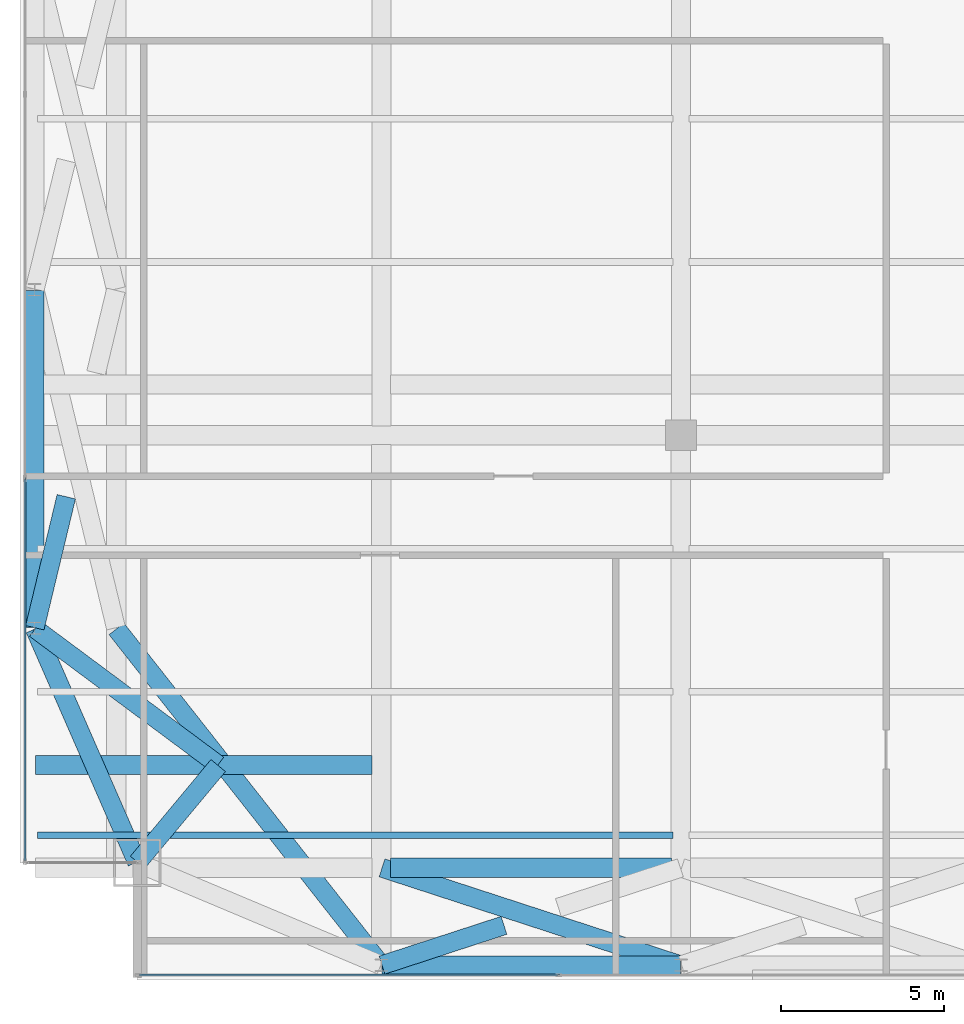
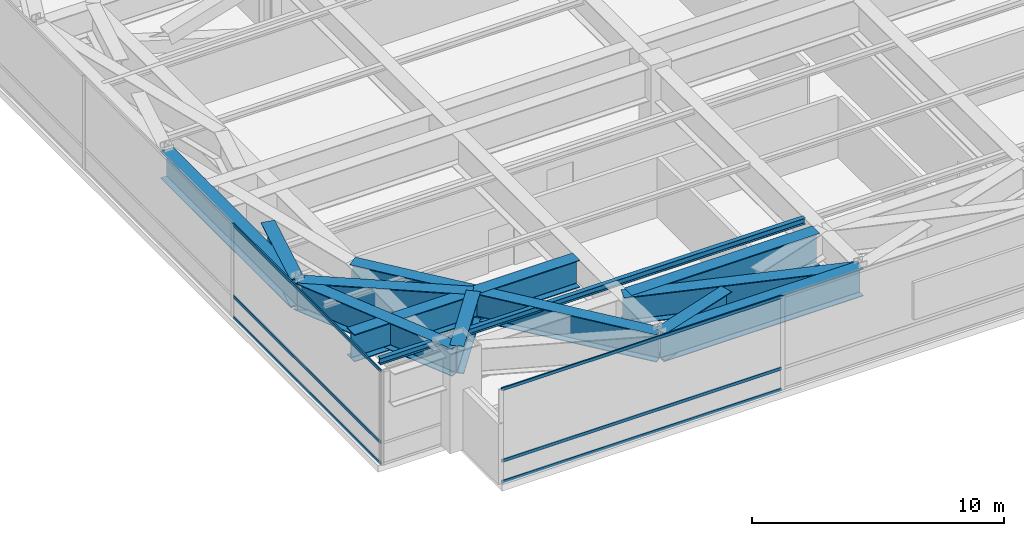
# One storey, part 5 of 32: 12 beams, 6 members, 2 elements without a shape of their own.
"""IFC4 building model written with IfcOpenShell, lengths in metres."""

from ifc_helpers import new_model, si_unit, direction, frame, origin, origin_2d, place, context, subcontext, project, spatial, hollow_rectangle, i_section, extrude, source, transform, mapped, material, layer, layer_set, material_profile, profile_set, type_object, type_shapes, element, aggregate, save


model = new_model("IFC4")

# Units and contexts
model_context = context("Model", 3, precision=1e-05, world=origin(), true_north=direction((0.0, 1.0)))
body_context = subcontext(model_context, "Body", "Model", "MODEL_VIEW")
ifc_project = project(units=[si_unit("LENGTHUNIT", "METRE"), si_unit("AREAUNIT", "SQUARE_METRE"), si_unit("VOLUMEUNIT", "CUBIC_METRE"), si_unit("PLANEANGLEUNIT", "RADIAN"), si_unit("MASSUNIT", "GRAM", prefix="KILO")], contexts=[model_context])

# Site, building, storey
site_placement = place(None, origin())
site = spatial("IfcSite", under=ifc_project, at=site_placement, CompositionType="ELEMENT")
building_placement = place(site_placement, origin())
building = spatial("IfcBuilding", under=site, at=building_placement, Name="Varnel Quay Broadcast Tower", CompositionType="ELEMENT")
storey_placement = place(building_placement, frame((0.0, 0.0, 141.0)))
storey = spatial("IfcBuildingStorey", under=building, at=storey_placement, Name="L34", CompositionType="ELEMENT", Elevation=141.0)

# Beams
ifc_material_1 = material(Name="Structural Steel CSA G40.21 350WT", Category="steel")
ifc_material_profile_1 = material_profile(ifc_material_1, i_section(OverallWidth=0.580078125, OverallDepth=1.330078125, WebThickness=0.02197265625, FlangeThickness=0.0380859375, FilletRadius=0.02001953125, at=origin_2d()), Name="WWF1330X535")
ifc_profile_set_1 = profile_set([ifc_material_profile_1], Name="Structural Steel CSA G40.21 350WT")
beam_type_1 = type_object("IfcBeamType", Name="Girder_WWF1330X535", PredefinedType="BEAM", material=ifc_profile_set_1)
shared_shape_1 = source(origin(), body_context, "Body", "SweptSolid", [
    extrude(i_section(OverallWidth=0.580078125, OverallDepth=1.330078125, WebThickness=0.02197265625, FlangeThickness=0.0380859375, FilletRadius=0.02001953125, at=origin_2d()), origin(), (0.0, 0.0, 1.0), 10.35986328125),
])
beam_1_placement = place(storey_placement, frame((4.949951171875, 15.02001953125, 3.885009765625), z_axis=(0.0, 1.0, 0.0), x_axis=(-1.0, 0.0, 0.0)))
element("IfcBeam", 1, at=beam_1_placement, inside=storey, type_object=beam_type_1, Name="L34 West Transfer Spine TC-W1-TC-W2", PredefinedType="BEAM", context=body_context, shape_type="MappedRepresentation", body=[
    mapped(shared_shape_1, transform((0.0, 0.0, 0.0), x_axis=(1.0, 0.0, 0.0), y_axis=(0.0, 1.0, 0.0), z_axis=(0.0, 0.0, 1.0), scale=1.0)),
])
shared_shape_2 = source(origin(), body_context, "Body", "SweptSolid", [
    extrude(i_section(OverallWidth=0.580078125, OverallDepth=1.330078125, WebThickness=0.02197265625, FlangeThickness=0.0380859375, FilletRadius=0.02001953125, at=origin_2d()), origin(), (0.0, 0.0, 1.0), 9.159912109375),
])
beam_2_placement = place(storey_placement, frame((15.6201171875, 4.64990234375, 3.885009765625), z_axis=(1.0, 0.0, 0.0), x_axis=(0.0, 1.0, 0.0)))
element("IfcBeam", 2, at=beam_2_placement, inside=storey, type_object=beam_type_1, Name="L34 Perimeter Transfer Spine TC-S1-TC-S2", PredefinedType="BEAM", context=body_context, shape_type="MappedRepresentation", body=[
    mapped(shared_shape_2, transform((0.0, 0.0, 0.0), x_axis=(1.0, 0.0, 0.0), y_axis=(0.0, 1.0, 0.0), z_axis=(0.0, 0.0, 1.0), scale=1.0)),
])
ifc_material_profile_2 = material_profile(ifc_material_1, i_section(OverallWidth=0.60009765625, OverallDepth=1.60009765625, WebThickness=0.02392578125, FlangeThickness=0.0419921875, FilletRadius=0.02197265625, at=origin_2d()), Name="WWF1600X620")
ifc_profile_set_2 = profile_set([ifc_material_profile_2], Name="Structural Steel CSA G40.21 350WT")
beam_type_2 = type_object("IfcBeamType", Name="Girder_WWF1600X620", PredefinedType="BEAM", material=ifc_profile_set_2)
shared_shape_3 = source(origin(), body_context, "Body", "SweptSolid", [
    extrude(i_section(OverallWidth=0.60009765625, OverallDepth=1.60009765625, WebThickness=0.02392578125, FlangeThickness=0.0419921875, FilletRadius=0.02197265625, at=origin_2d()), origin(), (0.0, 0.0, 1.0), 8.6298828125),
])
type_shapes(beam_type_2, [shared_shape_3])
beam_3_placement = place(storey_placement, frame((15.885009765625, 7.64990234375, 3.75), z_axis=(1.0, 0.0, 0.0), x_axis=(0.0, 1.0, 0.0)))
element("IfcBeam", 3, at=beam_3_placement, inside=storey, type_object=beam_type_2, Name="L34 Setback South Transfer Header 2", PredefinedType="BEAM", context=body_context, shape_type="MappedRepresentation", body=[
    mapped(shared_shape_3, transform((0.0, 0.0, 0.0), x_axis=(1.0, 0.0, 0.0), y_axis=(0.0, 1.0, 0.0), z_axis=(0.0, 0.0, 1.0), scale=1.0)),
])
shared_shape_4 = source(origin(), body_context, "Body", "SweptSolid", [
    extrude(i_section(OverallWidth=0.580078125, OverallDepth=1.330078125, WebThickness=0.02197265625, FlangeThickness=0.0380859375, FilletRadius=0.02001953125, at=origin_2d()), origin(), (0.0, 0.0, 1.0), 3.864990234375),
])
beam_4_placement = place(storey_placement, frame((8.11279296875, 7.8154296875, 3.885009765625), z_axis=(0.640184399664, 0.768221279597, 0.0), x_axis=(-0.768221279597, 0.640184399664, 0.0)))
element("IfcBeam", 4, at=beam_4_placement, inside=storey, type_object=beam_type_1, Name="L34 Nodal Transfer Tie MC-SW-MC-SW", PredefinedType="BEAM", context=body_context, shape_type="MappedRepresentation", body=[
    mapped(shared_shape_4, transform((0.0, 0.0, 0.0), x_axis=(1.0, 0.0, 0.0), y_axis=(0.0, 1.0, 0.0), z_axis=(0.0, 0.0, 1.0), scale=1.0)),
])
shared_shape_5 = source(origin(), body_context, "Body", "SweptSolid", [
    extrude(i_section(OverallWidth=0.580078125, OverallDepth=1.330078125, WebThickness=0.02197265625, FlangeThickness=0.0380859375, FilletRadius=0.02001953125, at=origin_2d()), origin(), (0.0, 0.0, 1.0), 9.636962890625),
])
beam_5_placement = place(storey_placement, frame((24.781005859375, 4.65625, 3.885009765625), z_axis=(-0.95073276134, 0.310011639323, 0.0), x_axis=(-0.310011639323, -0.95073276134, 0.0)))
element("IfcBeam", 5, at=beam_5_placement, inside=storey, type_object=beam_type_1, Name="L34 X-Braced Transfer Tie TC-S1-TC-S2", PredefinedType="BEAM", context=body_context, shape_type="MappedRepresentation", body=[
    mapped(shared_shape_5, transform((0.0, 0.0, 0.0), x_axis=(1.0, 0.0, 0.0), y_axis=(0.0, 1.0, 0.0), z_axis=(0.0, 0.0, 1.0), scale=1.0)),
])
shared_shape_6 = source(origin(), body_context, "Body", "SweptSolid", [
    extrude(i_section(OverallWidth=0.580078125, OverallDepth=1.330078125, WebThickness=0.02197265625, FlangeThickness=0.0380859375, FilletRadius=0.02001953125, at=origin_2d()), origin(), (0.0, 0.0, 1.0), 3.939453125),
])
beam_6_placement = place(storey_placement, frame((15.618896484375, 4.65625, 3.885009765625), z_axis=(0.950738972318, 0.309992591065, 0.0), x_axis=(-0.309992591065, 0.950738972318, 0.0)))
element("IfcBeam", 6, at=beam_6_placement, inside=storey, type_object=beam_type_1, Name="L34 X-Braced Transfer Tie TC-S2-TC-S1 Part 1", PredefinedType="BEAM", context=body_context, shape_type="MappedRepresentation", body=[
    mapped(shared_shape_6, transform((0.0, 0.0, 0.0), x_axis=(1.0, 0.0, 0.0), y_axis=(0.0, 1.0, 0.0), z_axis=(0.0, 0.0, 1.0), scale=1.0)),
])
shared_shape_7 = source(origin(), body_context, "Body", "SweptSolid", [
    extrude(i_section(OverallWidth=0.580078125, OverallDepth=1.330078125, WebThickness=0.02197265625, FlangeThickness=0.0380859375, FilletRadius=0.02001953125, at=origin_2d()), origin(), (0.0, 0.0, 1.0), 4.137451171875),
])
beam_7_placement = place(storey_placement, frame((4.95458984375, 15.019287109375, 3.885009765625), z_axis=(0.233723314168, 0.972303148413, 0.0), x_axis=(-0.972303148413, 0.233723314168, 0.0)))
element("IfcBeam", 7, at=beam_7_placement, inside=storey, type_object=beam_type_1, Name="L34 X-Braced Transfer Tie TC-W2-TC-W1 Part 1", PredefinedType="BEAM", context=body_context, shape_type="MappedRepresentation", body=[
    mapped(shared_shape_7, transform((0.0, 0.0, 0.0), x_axis=(1.0, 0.0, 0.0), y_axis=(0.0, 1.0, 0.0), z_axis=(0.0, 0.0, 1.0), scale=1.0)),
])
shared_shape_8 = source(origin(), body_context, "Body", "SweptSolid", [
    extrude(i_section(OverallWidth=0.580078125, OverallDepth=1.330078125, WebThickness=0.02197265625, FlangeThickness=0.0380859375, FilletRadius=0.02001953125, at=origin_2d()), origin(), (0.0, 0.0, 1.0), 7.81884765625),
])
beam_8_placement = place(storey_placement, frame((8.092041015625, 7.818359375, 3.885009765625), z_axis=(-0.400827023998, 0.916153751743, 0.0), x_axis=(-0.916153751743, -0.400827023998, 0.0)))
element("IfcBeam", 8, at=beam_8_placement, inside=storey, type_object=beam_type_1, Name="L34 West Transfer Spine MC-SW-TC-W1", PredefinedType="BEAM", context=body_context, shape_type="MappedRepresentation", body=[
    mapped(shared_shape_8, transform((0.0, 0.0, 0.0), x_axis=(1.0, 0.0, 0.0), y_axis=(0.0, 1.0, 0.0), z_axis=(0.0, 0.0, 1.0), scale=1.0)),
])
shared_shape_9 = source(origin(), body_context, "Body", "SweptSolid", [
    extrude(i_section(OverallWidth=0.580078125, OverallDepth=1.330078125, WebThickness=0.02197265625, FlangeThickness=0.0380859375, FilletRadius=0.02001953125, at=origin_2d()), origin(), (0.0, 0.0, 1.0), 10.344970703125),
])
beam_9_placement = place(storey_placement, frame((4.969970703125, 10.800048828125, 3.885009765625), z_axis=(1.0, 0.0, 0.0), x_axis=(0.0, 1.0, 0.0)))
element("IfcBeam", 9, at=beam_9_placement, inside=storey, type_object=beam_type_1, Name="L34 Setback Corner South Transfer 1", PredefinedType="BEAM", context=body_context, shape_type="MappedRepresentation", body=[
    mapped(shared_shape_9, transform((0.0, 0.0, 0.0), x_axis=(1.0, 0.0, 0.0), y_axis=(0.0, 1.0, 0.0), z_axis=(0.0, 0.0, 1.0), scale=1.0)),
])
shared_shape_10 = source(origin(), body_context, "Body", "SweptSolid", [
    extrude(i_section(OverallWidth=0.580078125, OverallDepth=1.330078125, WebThickness=0.02197265625, FlangeThickness=0.0380859375, FilletRadius=0.02001953125, at=origin_2d()), origin(), (0.0, 0.0, 1.0), 7.0),
])
beam_10_placement = place(storey_placement, frame((4.966064453125, 14.988037109375, 3.885009765625), z_axis=(0.802558250142, -0.59657376336, 0.0), x_axis=(0.59657376336, 0.802558250142, 0.0)))
element("IfcBeam", 10, at=beam_10_placement, inside=storey, type_object=beam_type_1, Name="L34 Nodal Transfer Tie MC-SW-TC-W1", PredefinedType="BEAM", context=body_context, shape_type="MappedRepresentation", body=[
    mapped(shared_shape_10, transform((0.0, 0.0, 0.0), x_axis=(1.0, 0.0, 0.0), y_axis=(0.0, 1.0, 0.0), z_axis=(0.0, 0.0, 1.0), scale=1.0)),
])
shared_shape_11 = source(origin(), body_context, "Body", "SweptSolid", [
    extrude(i_section(OverallWidth=0.580078125, OverallDepth=1.330078125, WebThickness=0.02197265625, FlangeThickness=0.0380859375, FilletRadius=0.02001953125, at=origin_2d()), origin(), (0.0, 0.0, 1.0), 13.133544921875),
])
type_shapes(beam_type_1, [shared_shape_1, shared_shape_2, shared_shape_4, shared_shape_5, shared_shape_6, shared_shape_7, shared_shape_8, shared_shape_9, shared_shape_10, shared_shape_11])
beam_11_placement = place(storey_placement, frame((15.587646484375, 4.665771484375, 3.885009765625), z_axis=(-0.61865776221, 0.785660596732, 0.0), x_axis=(-0.785660596732, -0.61865776221, 0.0)))
element("IfcBeam", 11, at=beam_11_placement, inside=storey, type_object=beam_type_1, Name="L34 Nodal Transfer Tie TC-W1-TC-S1", PredefinedType="BEAM", context=body_context, shape_type="MappedRepresentation", body=[
    mapped(shared_shape_11, transform((0.0, 0.0, 0.0), x_axis=(1.0, 0.0, 0.0), y_axis=(0.0, 1.0, 0.0), z_axis=(0.0, 0.0, 1.0), scale=1.0)),
])
ifc_material_2 = material(Name="Structural Steel CSA G40.21 350W", Category="steel")
ifc_material_profile_3 = material_profile(ifc_material_2, i_section(OverallWidth=0.202880859375, OverallDepth=0.302978515625, WebThickness=0.007568359375, FlangeThickness=0.01318359375, FilletRadius=0.011962890625, at=origin_2d()), Name="W310X60")
ifc_profile_set_3 = profile_set([ifc_material_profile_3], Name="Structural Steel CSA G40.21 350W")
beam_type_3 = type_object("IfcBeamType", Name="Beam_W310X60", PredefinedType="JOIST", material=ifc_profile_set_3)
shared_shape_12 = source(origin(), body_context, "Body", "SweptSolid", [
    extrude(i_section(OverallWidth=0.202880859375, OverallDepth=0.302978515625, WebThickness=0.007568359375, FlangeThickness=0.01318359375, FilletRadius=0.011962890625, at=origin_2d()), origin(), (0.0, 0.0, 1.0), 19.51953125),
])
type_shapes(beam_type_3, [shared_shape_12])
beam_12_placement = place(storey_placement, frame((5.035400390625, 8.64990234375, 4.3984375), z_axis=(1.0, 0.0, 0.0), x_axis=(0.0, 1.0, 0.0)))
element("IfcBeam", 12, at=beam_12_placement, inside=storey, type_object=beam_type_3, Name="L34 West Floor Joist 1", PredefinedType="JOIST", context=body_context, shape_type="MappedRepresentation", body=[
    mapped(shared_shape_12, transform((0.0, 0.0, 0.0), x_axis=(1.0, 0.0, 0.0), y_axis=(0.0, 1.0, 0.0), z_axis=(0.0, 0.0, 1.0), scale=1.0)),
])

# Curtain wall, members
ifc_material_3 = material(Name="Anodised Bronze Aluminium 6063-T6", Category="aluminium")
ifc_layer = layer(ifc_material_3, 0.18994140625, Name="Anodised Bronze Aluminium 6063-T6")
ifc_layer_set = layer_set([ifc_layer], Name="Anodised Bronze Aluminium 6063-T6")
curtain_wall_type = type_object("IfcCurtainWallType", Name="CW_LowerTower", PredefinedType="NOTDEFINED", material=ifc_layer_set)
curtain_wall_1_placement = place(storey_placement, origin())
curtain_wall_1 = element("IfcCurtainWall", 13, at=curtain_wall_1_placement, inside=storey, type_object=curtain_wall_type, Name="L34 West Unitised Curtain Wall", PredefinedType="NOTDEFINED")
ifc_material_profile_4 = material_profile(ifc_material_3, hollow_rectangle(XDim=0.06005859375, YDim=0.14501953125, WallThickness=0.00341796875, at=origin_2d()), Name="ALU60X145X3.5")
ifc_profile_set_4 = profile_set([ifc_material_profile_4], Name="Anodised Bronze Aluminium 6063-T6")
member_type = type_object("IfcMemberType", Name="Tran_CWS-02", PredefinedType="USERDEFINED", material=ifc_profile_set_4)
shared_shape_13 = source(origin(), body_context, "Body", "SweptSolid", [
    extrude(hollow_rectangle(XDim=0.06005859375, YDim=0.14501953125, WallThickness=0.00341796875, at=origin_2d()), origin(), (0.0, 0.0, 1.0), 11.69482421875),
])
member_1_placement = place(storey_placement, frame((4.64990234375, 7.8701171875, 0.030029296875), z_axis=(0.0, 1.0, 0.0), x_axis=(-1.0, 0.0, 0.0)))
member_1 = element("IfcMember", 14, at=member_1_placement, type_object=member_type, Name="CWS-02 transom 1.1", ObjectType="TRANSOM", PredefinedType="USERDEFINED", context=body_context, shape_type="MappedRepresentation", body=[
    mapped(shared_shape_13, transform((0.0, 0.0, 0.0), x_axis=(1.0, 0.0, 0.0), y_axis=(0.0, 1.0, 0.0), z_axis=(0.0, 0.0, 1.0), scale=1.0)),
])
member_2_placement = place(storey_placement, frame((4.64990234375, 7.8701171875, 1.050048828125), z_axis=(0.0, 1.0, 0.0), x_axis=(-1.0, 0.0, 0.0)))
member_2 = element("IfcMember", 15, at=member_2_placement, type_object=member_type, Name="CWS-02 transom 1.2", ObjectType="TRANSOM", PredefinedType="USERDEFINED", context=body_context, shape_type="MappedRepresentation", body=[
    mapped(shared_shape_13, transform((0.0, 0.0, 0.0), x_axis=(1.0, 0.0, 0.0), y_axis=(0.0, 1.0, 0.0), z_axis=(0.0, 0.0, 1.0), scale=1.0)),
])
member_3_placement = place(storey_placement, frame((4.64990234375, 7.8701171875, 4.52001953125), z_axis=(0.0, 1.0, 0.0), x_axis=(-1.0, 0.0, 0.0)))
member_3 = element("IfcMember", 16, at=member_3_placement, type_object=member_type, Name="CWS-02 transom 1.3", ObjectType="TRANSOM", PredefinedType="USERDEFINED", context=body_context, shape_type="MappedRepresentation", body=[
    mapped(shared_shape_13, transform((0.0, 0.0, 0.0), x_axis=(1.0, 0.0, 0.0), y_axis=(0.0, 1.0, 0.0), z_axis=(0.0, 0.0, 1.0), scale=1.0)),
])
aggregate(curtain_wall_1, [member_1, member_2, member_3])

curtain_wall_2_placement = place(storey_placement, origin())
curtain_wall_2 = element("IfcCurtainWall", 17, at=curtain_wall_2_placement, inside=storey, type_object=curtain_wall_type, Name="L34 South Unitised Curtain Wall 1", PredefinedType="NOTDEFINED")
shared_shape_14 = source(origin(), body_context, "Body", "SweptSolid", [
    extrude(hollow_rectangle(XDim=0.06005859375, YDim=0.14501953125, WallThickness=0.00341796875, at=origin_2d()), origin(), (0.0, 0.0, 1.0), 12.844970703125),
])
type_shapes(member_type, [shared_shape_13, shared_shape_14])
member_4_placement = place(storey_placement, frame((8.169921875, 4.35009765625, 0.030029296875), z_axis=(1.0, 0.0, 0.0), x_axis=(0.0, 1.0, 0.0)))
member_4 = element("IfcMember", 18, at=member_4_placement, type_object=member_type, Name="CWS-02 transom 1.1", ObjectType="TRANSOM", PredefinedType="USERDEFINED", context=body_context, shape_type="MappedRepresentation", body=[
    mapped(shared_shape_14, transform((0.0, 0.0, 0.0), x_axis=(1.0, 0.0, 0.0), y_axis=(0.0, 1.0, 0.0), z_axis=(0.0, 0.0, 1.0), scale=1.0)),
])
member_5_placement = place(storey_placement, frame((8.169921875, 4.35009765625, 1.050048828125), z_axis=(1.0, 0.0, 0.0), x_axis=(0.0, 1.0, 0.0)))
member_5 = element("IfcMember", 19, at=member_5_placement, type_object=member_type, Name="CWS-02 transom 1.2", ObjectType="TRANSOM", PredefinedType="USERDEFINED", context=body_context, shape_type="MappedRepresentation", body=[
    mapped(shared_shape_14, transform((0.0, 0.0, 0.0), x_axis=(1.0, 0.0, 0.0), y_axis=(0.0, 1.0, 0.0), z_axis=(0.0, 0.0, 1.0), scale=1.0)),
])
member_6_placement = place(storey_placement, frame((8.169921875, 4.35009765625, 4.52001953125), z_axis=(1.0, 0.0, 0.0), x_axis=(0.0, 1.0, 0.0)))
member_6 = element("IfcMember", 20, at=member_6_placement, type_object=member_type, Name="CWS-02 transom 1.3", ObjectType="TRANSOM", PredefinedType="USERDEFINED", context=body_context, shape_type="MappedRepresentation", body=[
    mapped(shared_shape_14, transform((0.0, 0.0, 0.0), x_axis=(1.0, 0.0, 0.0), y_axis=(0.0, 1.0, 0.0), z_axis=(0.0, 0.0, 1.0), scale=1.0)),
])
aggregate(curtain_wall_2, [member_4, member_5, member_6])

save(model, "model.ifc")
